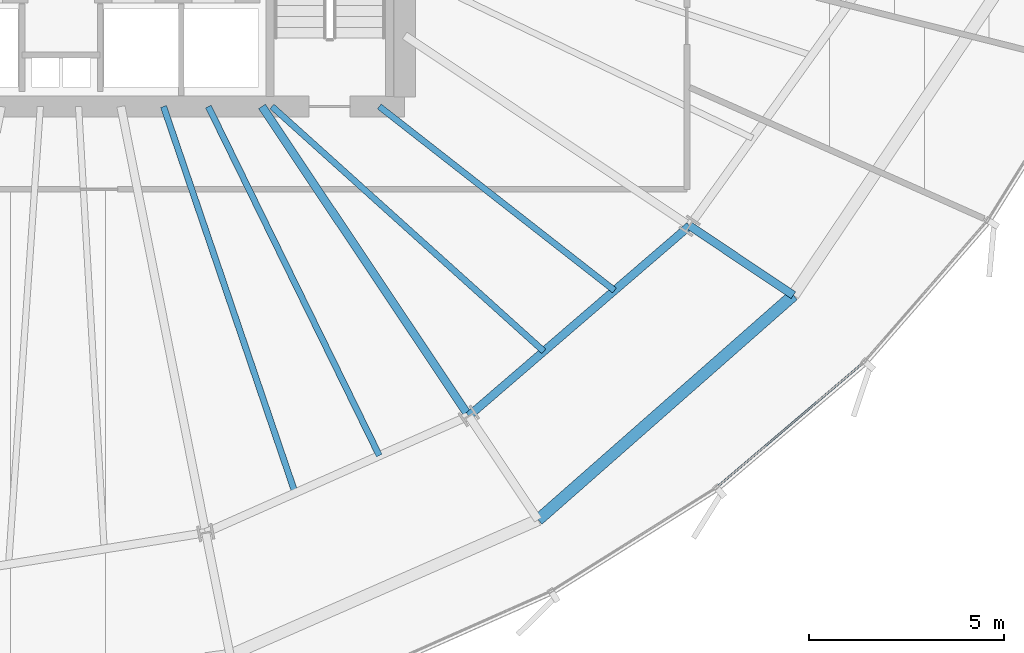
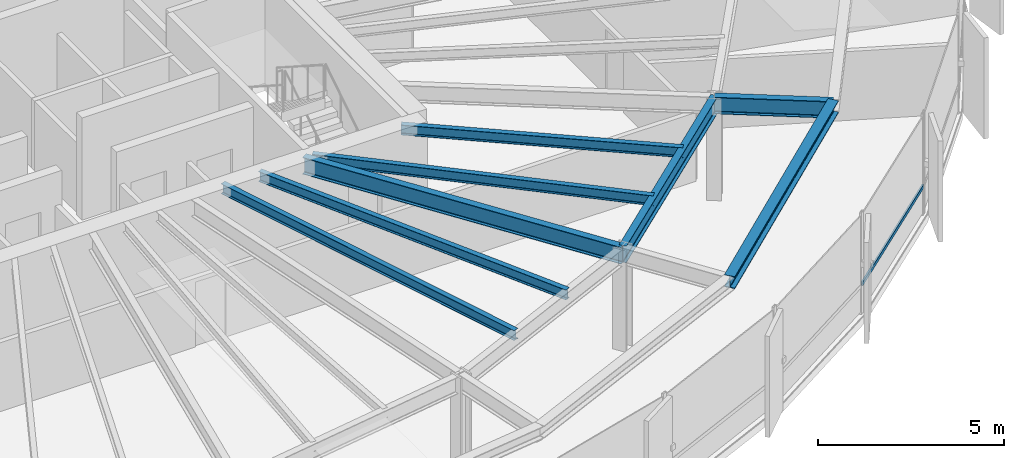
# One storey, part 13 of 33: 8 beams, 1 member, 1 element without a shape of its own.
"""IFC4 building model written with IfcOpenShell, lengths in metres."""

from ifc_helpers import new_model, si_unit, direction, frame, origin, origin_2d, place, context, subcontext, project, spatial, hollow_rectangle, i_section, extrude, source, transform, mapped, material, layer, layer_set, material_profile, profile_set, type_object, element, aggregate, save


model = new_model("IFC4")

# Units and contexts
model_context = context("Model", 3, precision=1e-05, world=origin(), true_north=direction((0.0, 1.0)))
body_context = subcontext(model_context, "Body", "Model", "MODEL_VIEW")
ifc_project = project(units=[si_unit("LENGTHUNIT", "METRE"), si_unit("AREAUNIT", "SQUARE_METRE"), si_unit("VOLUMEUNIT", "CUBIC_METRE"), si_unit("PLANEANGLEUNIT", "RADIAN"), si_unit("MASSUNIT", "GRAM", prefix="KILO"), si_unit("THERMODYNAMICTEMPERATUREUNIT", "KELVIN")], contexts=[model_context])

# Site, building, storey
site_placement = place(None, origin())
site = spatial("IfcSite", under=ifc_project, at=site_placement, CompositionType="ELEMENT")
building_placement = place(site_placement, origin())
building = spatial("IfcBuilding", under=site, at=building_placement, Name="Kethvar Cultural Tower", CompositionType="ELEMENT")
storey_placement = place(building_placement, frame((0.0, 0.0, 114.39990234375)))
storey = spatial("IfcBuildingStorey", under=building, at=storey_placement, Name="L28", CompositionType="ELEMENT", Elevation=114.39990234375)

# Beams
ifc_material_1 = material(Name="Steel S355J2", Category="steel")
ifc_material_profile_1 = material_profile(ifc_material_1, i_section(OverallWidth=0.2099609375, OverallDepth=0.550048828125, WebThickness=0.010986328125, FlangeThickness=0.01708984375, FilletRadius=0.02392578125, at=origin_2d()), Name="Steel S355J2 — IPE550")
ifc_profile_set_1 = profile_set([ifc_material_profile_1], Name="Steel S355J2 — IPE550")
beam_type_1 = type_object("IfcBeamType", Name="BM-IPE550", PredefinedType="BEAM", material=ifc_profile_set_1)
shared_shape_1 = source(origin(), body_context, "Body", "SweptSolid", [
    extrude(i_section(OverallWidth=0.2099609375, OverallDepth=0.550048828125, WebThickness=0.010986328125, FlangeThickness=0.01708984375, FilletRadius=0.02392578125, at=origin_2d()), origin(), (0.0, 0.0, 1.0), 3.199951171875),
])
beam_1_placement = place(storey_placement, frame((62.898681640625, 17.043212890625, 3.072998046875), z_axis=(0.831462943996, -0.555580212716, 0.0), x_axis=(0.555580212716, 0.831462943996, 0.0)))
element("IfcBeam", 1, at=beam_1_placement, inside=storey, type_object=beam_type_1, Name="L28 Perimeter Cantilever Beam RC-15", PredefinedType="BEAM", context=body_context, shape_type="MappedRepresentation", body=[
    mapped(shared_shape_1, transform((0.0, 0.0, 0.0), scale=1.0)),
])
shared_shape_2 = source(origin(), body_context, "Body", "SweptSolid", [
    extrude(i_section(OverallWidth=0.2099609375, OverallDepth=0.550048828125, WebThickness=0.010986328125, FlangeThickness=0.01708984375, FilletRadius=0.02392578125, at=origin_2d()), origin(), (0.0, 0.0, 1.0), 9.534423828125),
])
beam_2_placement = place(storey_placement, frame((51.945068359375, 20.10009765625, 3.072998046875), z_axis=(0.555550817894, -0.831482584747, 0.0), x_axis=(0.831482584747, 0.555550817894, 0.0)))
element("IfcBeam", 2, at=beam_2_placement, inside=storey, type_object=beam_type_1, Name="L28 Primary Radial Beam RB-14", PredefinedType="BEAM", context=body_context, shape_type="MappedRepresentation", body=[
    mapped(shared_shape_2, transform((0.0, 0.0, 0.0), scale=1.0)),
])
ifc_material_profile_2 = material_profile(ifc_material_1, i_section(OverallWidth=0.159912109375, OverallDepth=0.330078125, WebThickness=0.007568359375, FlangeThickness=0.011474609375, FilletRadius=0.01806640625, at=origin_2d()), Name="Steel S355J2 — IPE330")
ifc_profile_set_2 = profile_set([ifc_material_profile_2], Name="Steel S355J2 — IPE330")
beam_type_2 = type_object("IfcBeamType", Name="BM-J330", PredefinedType="JOIST", material=ifc_profile_set_2)
shared_shape_3 = source(origin(), body_context, "Body", "SweptSolid", [
    extrude(i_section(OverallWidth=0.159912109375, OverallDepth=0.330078125, WebThickness=0.007568359375, FlangeThickness=0.011474609375, FilletRadius=0.01806640625, at=origin_2d()), origin(), (0.0, 0.0, 1.0), 10.45947265625),
])
beam_3_placement = place(storey_placement, frame((49.42236328125, 20.10009765625, 3.18310546875), z_axis=(0.322390188368, -0.94660687006, 0.0), x_axis=(0.94660687006, 0.322390188368, 0.0)))
element("IfcBeam", 3, at=beam_3_placement, inside=storey, type_object=beam_type_2, Name="L28 Composite Floor Joist J-13A", PredefinedType="JOIST", context=body_context, shape_type="MappedRepresentation", body=[
    mapped(shared_shape_3, transform((0.0, 0.0, 0.0), scale=1.0)),
])
shared_shape_4 = source(origin(), body_context, "Body", "SweptSolid", [
    extrude(i_section(OverallWidth=0.159912109375, OverallDepth=0.330078125, WebThickness=0.007568359375, FlangeThickness=0.011474609375, FilletRadius=0.01806640625, at=origin_2d()), origin(), (0.0, 0.0, 1.0), 9.959228515625),
])
beam_4_placement = place(storey_placement, frame((50.57080078125, 20.10009765625, 3.18310546875), z_axis=(0.439785134514, -0.898103020516, 0.0), x_axis=(0.898103020516, 0.439785134514, 0.0)))
element("IfcBeam", 4, at=beam_4_placement, inside=storey, type_object=beam_type_2, Name="L28 Composite Floor Joist J-13B", PredefinedType="JOIST", context=body_context, shape_type="MappedRepresentation", body=[
    mapped(shared_shape_4, transform((0.0, 0.0, 0.0), scale=1.0)),
])
shared_shape_5 = source(origin(), body_context, "Body", "SweptSolid", [
    extrude(i_section(OverallWidth=0.2099609375, OverallDepth=0.550048828125, WebThickness=0.010986328125, FlangeThickness=0.01708984375, FilletRadius=0.02392578125, at=origin_2d()), origin(), (0.0, 0.0, 1.0), 7.46484375),
])
beam_5_placement = place(storey_placement, frame((57.241943359375, 12.17236328125, 3.072998046875), z_axis=(0.757784075291, 0.652505398625, 0.0), x_axis=(-0.652505398625, 0.757784075291, 0.0)))
element("IfcBeam", 5, at=beam_5_placement, inside=storey, type_object=beam_type_1, Name="L28 Column Ring Tie Beam CR-14", PredefinedType="BEAM", context=body_context, shape_type="MappedRepresentation", body=[
    mapped(shared_shape_5, transform((0.0, 0.0, 0.0), scale=1.0)),
])
ifc_material_profile_3 = material_profile(ifc_material_1, i_section(OverallWidth=0.300048828125, OverallDepth=0.39990234375, WebThickness=0.013427734375, FlangeThickness=0.02392578125, FilletRadius=0.027099609375, at=origin_2d()), Name="Steel S355J2 — HEB400")
ifc_profile_set_3 = profile_set([ifc_material_profile_3], Name="Steel S355J2 — HEB400")
beam_type_3 = type_object("IfcBeamType", Name="BM-SP400", PredefinedType="SPANDREL", material=ifc_profile_set_3)
shared_shape_6 = source(origin(), body_context, "Body", "SweptSolid", [
    extrude(i_section(OverallWidth=0.300048828125, OverallDepth=0.39990234375, WebThickness=0.013427734375, FlangeThickness=0.02392578125, FilletRadius=0.027099609375, at=origin_2d()), origin(), (0.0, 0.0, 1.0), 8.71044921875),
])
beam_6_placement = place(storey_placement, frame((59.019775390625, 9.51171875, 3.148193359375), z_axis=(0.75077856833, 0.660553965498, 0.0), x_axis=(-0.660553965498, 0.75077856833, 0.0)))
element("IfcBeam", 6, at=beam_6_placement, inside=storey, type_object=beam_type_3, Name="L28 Perimeter Spandrel Beam SP-14", PredefinedType="SPANDREL", context=body_context, shape_type="MappedRepresentation", body=[
    mapped(shared_shape_6, transform((0.0, 0.0, 0.0), scale=1.0)),
])
shared_shape_7 = source(origin(), body_context, "Body", "SweptSolid", [
    extrude(i_section(OverallWidth=0.159912109375, OverallDepth=0.330078125, WebThickness=0.007568359375, FlangeThickness=0.011474609375, FilletRadius=0.01806640625, at=origin_2d()), origin(), (0.0, 0.0, 1.0), 9.372802734375),
])
beam_7_placement = place(storey_placement, frame((52.199951171875, 20.10009765625, 3.18310546875), z_axis=(0.743151656479, -0.669123019685, 0.0), x_axis=(0.669123019685, 0.743151656479, 0.0)))
element("IfcBeam", 7, at=beam_7_placement, inside=storey, type_object=beam_type_2, Name="L28 Composite Floor Joist J-14A", PredefinedType="JOIST", context=body_context, shape_type="MappedRepresentation", body=[
    mapped(shared_shape_7, transform((0.0, 0.0, 0.0), scale=1.0)),
])
shared_shape_8 = source(origin(), body_context, "Body", "SweptSolid", [
    extrude(i_section(OverallWidth=0.159912109375, OverallDepth=0.330078125, WebThickness=0.007568359375, FlangeThickness=0.011474609375, FilletRadius=0.01806640625, at=origin_2d()), origin(), (0.0, 0.0, 1.0), 7.649658203125),
])
beam_8_placement = place(storey_placement, frame((54.949951171875, 20.10009765625, 3.18310546875), z_axis=(0.787671994752, -0.616094821179, 0.0), x_axis=(0.616094821179, 0.787671994752, 0.0)))
element("IfcBeam", 8, at=beam_8_placement, inside=storey, type_object=beam_type_2, Name="L28 Composite Floor Joist J-14B", PredefinedType="JOIST", context=body_context, shape_type="MappedRepresentation", body=[
    mapped(shared_shape_8, transform((0.0, 0.0, 0.0), scale=1.0)),
])

# Curtain wall, member
ifc_material_2 = material(Name="Aluminium 6063-T6", Category="aluminium")
ifc_layer = layer(ifc_material_2, 0.179931640625, Name="Aluminium 6063-T6", Category="aluminium")
ifc_layer_set = layer_set([ifc_layer], Name="Aluminium 6063-T6 (180 mm)")
curtain_wall_type = type_object("IfcCurtainWallType", Name="CW-SYS-03-Z2", PredefinedType="NOTDEFINED", material=ifc_layer_set)
curtain_wall_placement = place(storey_placement, origin())
curtain_wall = element("IfcCurtainWall", 9, at=curtain_wall_placement, inside=storey, type_object=curtain_wall_type, Name="L28 Curtain Wall Run 05", PredefinedType="NOTDEFINED")
ifc_material_profile_4 = material_profile(ifc_material_2, hollow_rectangle(XDim=0.054931640625, YDim=0.1201171875, WallThickness=0.00390625, at=origin_2d()), Name="Aluminium 6063-T6 — RHS120x55x4")
ifc_profile_set_4 = profile_set([ifc_material_profile_4], Name="Aluminium 6063-T6 — RHS120x55x4")
member_type = type_object("IfcMemberType", Name="CW-SYS-03-Z2-TRN", PredefinedType="USERDEFINED", material=ifc_profile_set_4)
shared_shape_9 = source(origin(), body_context, "Body", "SweptSolid", [
    extrude(hollow_rectangle(XDim=0.054931640625, YDim=0.1201171875, WallThickness=0.00390625, at=origin_2d()), origin(), (0.0, 0.0, 1.0), 4.873779296875),
])
member_placement = place(storey_placement, frame((63.62109375, 10.3671875, 0.9501953125), z_axis=(0.761993696105, 0.647584440129, 0.0), x_axis=(-0.647584440129, 0.761993696105, 0.0)))
member = element("IfcMember", 10, at=member_placement, type_object=member_type, Name="CW-L28-R05 Transom 6", ObjectType="TRANSOM", PredefinedType="USERDEFINED", context=body_context, shape_type="MappedRepresentation", body=[
    mapped(shared_shape_9, transform((0.0, 0.0, 0.0), scale=1.0)),
])
aggregate(curtain_wall, [member])

save(model, "model.ifc")
